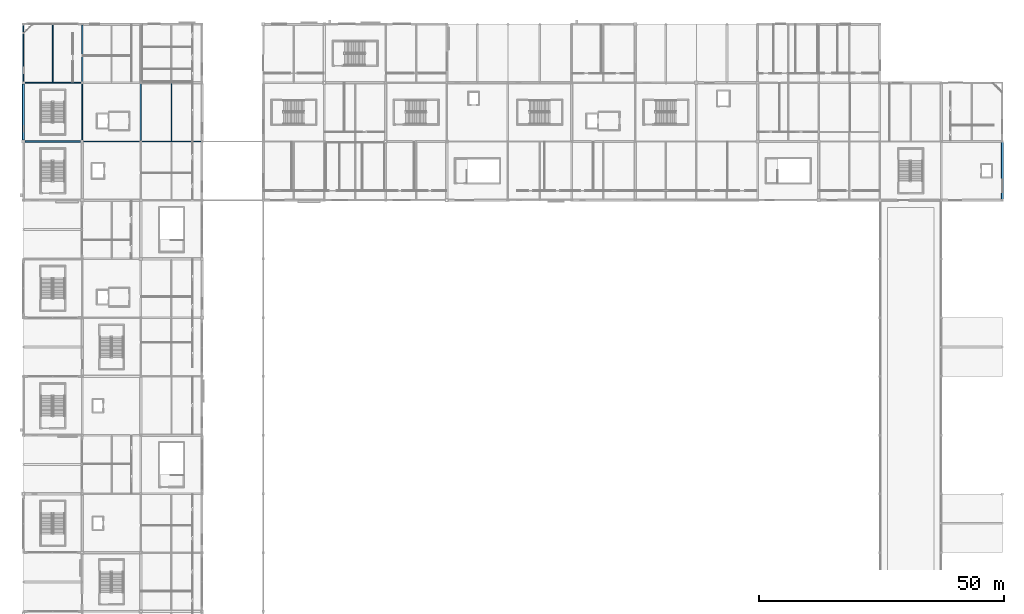
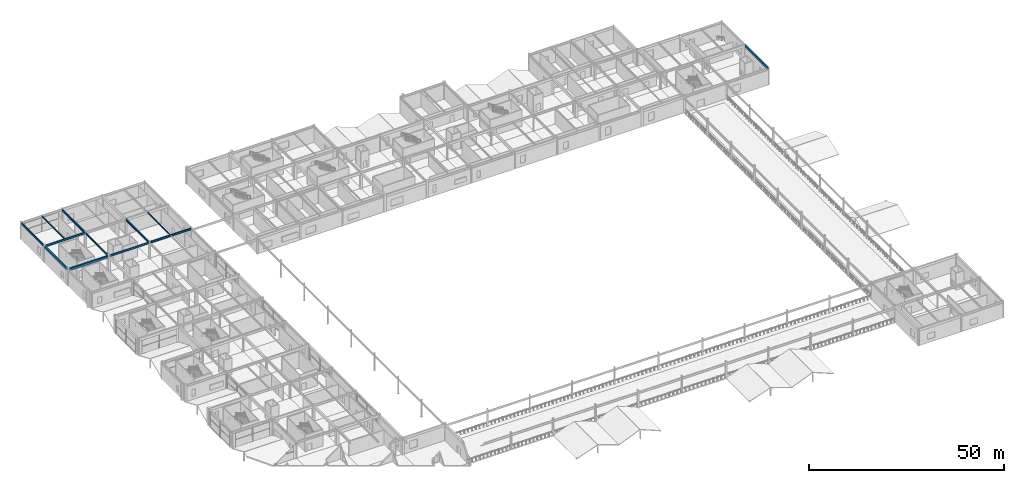
# One storey, part 50 of 105: 12 beams.
"""IFC4 building model written with IfcOpenShell, lengths in metres."""

from ifc_helpers import new_model, si_unit, direction, frame, origin, origin_2d, place, context, subcontext, project, spatial, rectangle, i_section, extrude, material, material_profile, profile_set, type_object, element, save


model = new_model("IFC4")

# Units and contexts
model_context = context("Model", 3, precision=1e-05, world=origin(), true_north=direction((0.0, 1.0)))
body_context = subcontext(model_context, "Body", "Model", "MODEL_VIEW")
ifc_project = project(units=[si_unit("LENGTHUNIT", "METRE"), si_unit("AREAUNIT", "SQUARE_METRE"), si_unit("VOLUMEUNIT", "CUBIC_METRE"), si_unit("PLANEANGLEUNIT", "RADIAN"), si_unit("MASSUNIT", "GRAM", prefix="KILO")], contexts=[model_context])

# Site, building, storey
site_placement = place(None, origin())
site = spatial("IfcSite", under=ifc_project, at=site_placement, CompositionType="ELEMENT")
building_placement = place(site_placement, origin())
building = spatial("IfcBuilding", under=site, at=building_placement, Name="Kazenohara Klinker Stadium", CompositionType="ELEMENT")
storey_placement = place(building_placement, frame((0.0, 0.0, 20.39990234375)))
storey = spatial("IfcBuildingStorey", under=building, at=storey_placement, Name="L04", CompositionType="ELEMENT", Elevation=20.39990234375)

# Beams
ifc_material_1 = material(Name="Steel S355", Category="steel")
ifc_material_profile_1 = material_profile(ifc_material_1, i_section(OverallWidth=0.175048828125, OverallDepth=0.35009765625, WebThickness=0.007080078125, FlangeThickness=0.010986328125, FilletRadius=0.012939453125, at=origin_2d()), Name="H-350x175x7x11")
ifc_profile_set_1 = profile_set([ifc_material_profile_1], Name="Steel S355")
beam_type_1 = type_object("IfcBeamType", Name="BM-JST04", PredefinedType="JOIST", material=ifc_profile_set_1)
beam_1_placement = place(storey_placement, frame((6.0, 156.10009765625, 5.005126953125), z_axis=(0.0, 1.0, 0.0), x_axis=(-1.0, 0.0, 0.0)))
element("IfcBeam", 1, at=beam_1_placement, inside=storey, type_object=beam_type_1, Name="Secondary floor joist SJ04 L04 1/P", PredefinedType="JOIST", context=body_context, shape_type="SweptSolid", body=[
    extrude(i_section(OverallWidth=0.175048828125, OverallDepth=0.35009765625, WebThickness=0.007080078125, FlangeThickness=0.010986328125, FilletRadius=0.012939453125, at=origin_2d()), origin(), (0.0, 0.0, 1.0), 11.75),
])
ifc_material_profile_2 = material_profile(ifc_material_1, i_section(OverallWidth=0.14990234375, OverallDepth=0.300048828125, WebThickness=0.006591796875, FlangeThickness=0.009033203125, FilletRadius=0.012939453125, at=origin_2d()), Name="H-300x150x6.5x9")
ifc_profile_set_2 = profile_set([ifc_material_profile_2], Name="Steel S355")
beam_type_2 = type_object("IfcBeamType", Name="BM-JST05", PredefinedType="JOIST", material=ifc_profile_set_2)
beam_2_placement = place(storey_placement, frame((30.25, 144.14990234375, 5.030029296875), z_axis=(0.0, 1.0, 0.0), x_axis=(-1.0, 0.0, 0.0)))
element("IfcBeam", 2, at=beam_2_placement, inside=storey, type_object=beam_type_2, Name="Secondary floor joist SJ05 L04 3/N", PredefinedType="JOIST", context=body_context, shape_type="SweptSolid", body=[
    extrude(i_section(OverallWidth=0.14990234375, OverallDepth=0.300048828125, WebThickness=0.006591796875, FlangeThickness=0.009033203125, FilletRadius=0.012939453125, at=origin_2d()), origin(), (0.0, 0.0, 1.0), 11.650146484375),
])
ifc_material_2 = material(Name="Concrete C40/50", Category="concrete")
ifc_material_profile_3 = material_profile(ifc_material_2, rectangle(XDim=0.39990234375, YDim=0.699951171875, at=origin_2d()), Name="RC-BM-400x700")
ifc_profile_set_3 = profile_set([ifc_material_profile_3], Name="Concrete C40/50")
beam_type_3 = type_object("IfcBeamType", Name="BM-RC04", PredefinedType="BEAM", material=ifc_profile_set_3)
for number, where, z_axis, x_axis, name in (
    (3, (0.35009765625, 144.0, 4.830078125), (1.0, 0.0, 0.0), (0.0, 1.0, 0.0), "Primary girder BG04 L04 1-2/N"),
    (4, (0.0, 144.35009765625, 4.830078125), (0.0, 1.0, 0.0), (-1.0, 0.0, 0.0), "Primary girder BG04 L04 1/N-P"),
):
    element("IfcBeam", number, at=place(storey_placement, frame(where, z_axis=z_axis, x_axis=x_axis)), inside=storey, type_object=beam_type_3, Name=name, PredefinedType="BEAM", context=body_context, shape_type="SweptSolid", body=[
        extrude(rectangle(XDim=0.39990234375, YDim=0.699951171875, at=origin_2d()), origin(), (0.0, 0.0, 1.0), 11.349853515625),
    ])
beam_3_placement = place(storey_placement, frame((200.0, 132.175048828125, 4.830078125), z_axis=(0.0, 1.0, 0.0), x_axis=(-1.0, 0.0, 0.0)))
element("IfcBeam", 5, at=beam_3_placement, inside=storey, type_object=beam_type_3, Name="Primary girder BG04 L04 17/M-N", PredefinedType="BEAM", context=body_context, shape_type="SweptSolid", body=[
    extrude(rectangle(XDim=0.39990234375, YDim=0.699951171875, at=origin_2d()), origin(), (0.0, 0.0, 1.0), 11.675048828125),
])
ifc_material_profile_4 = material_profile(ifc_material_1, i_section(OverallWidth=0.199951171875, OverallDepth=0.60009765625, WebThickness=0.010986328125, FlangeThickness=0.01708984375, FilletRadius=0.012939453125, at=origin_2d()), Name="H-600x200x11x17")
ifc_profile_set_4 = profile_set([ifc_material_profile_4], Name="Steel S355")
beam_type_4 = type_object("IfcBeamType", Name="BM-ST04", PredefinedType="BEAM", material=ifc_profile_set_4)
for number, where, z_axis, x_axis, name in (
    (6, (0.300048828125, 156.0, 4.880126953125), (1.0, 0.0, 0.0), (0.0, 1.0, 0.0), "Primary girder SB04 L04 1-2/P"),
    (7, (12.300048828125, 144.0, 4.880126953125), (1.0, 0.0, 0.0), (0.0, 1.0, 0.0), "Primary girder SB04 L04 2-3/N"),
    (8, (0.0, 156.300048828125, 4.880126953125), (0.0, 1.0, 0.0), (-1.0, 0.0, 0.0), "Primary girder SB04 L04 1/P-Q"),
    (9, (12.0, 144.300048828125, 4.880126953125), (0.0, 1.0, 0.0), (-1.0, 0.0, 0.0), "Primary girder SB04 L04 2/N-P"),
):
    element("IfcBeam", number, at=place(storey_placement, frame(where, z_axis=z_axis, x_axis=x_axis)), inside=storey, type_object=beam_type_4, Name=name, PredefinedType="BEAM", context=body_context, shape_type="SweptSolid", body=[
        extrude(i_section(OverallWidth=0.199951171875, OverallDepth=0.60009765625, WebThickness=0.010986328125, FlangeThickness=0.01708984375, FilletRadius=0.012939453125, at=origin_2d()), origin(), (0.0, 0.0, 1.0), 11.5),
    ])
ifc_material_profile_5 = material_profile(ifc_material_1, i_section(OverallWidth=0.300048828125, OverallDepth=0.587890625, WebThickness=0.011962890625, FlangeThickness=0.02001953125, FilletRadius=0.02197265625, at=origin_2d()), Name="H-588x300x12x20")
ifc_profile_set_5 = profile_set([ifc_material_profile_5], Name="Steel S355")
beam_type_5 = type_object("IfcBeamType", Name="BM-ST05", PredefinedType="BEAM", material=ifc_profile_set_5)
beam_4_placement = place(storey_placement, frame((24.199951171875, 144.0, 4.885986328125), z_axis=(1.0, 0.0, 0.0), x_axis=(0.0, 1.0, 0.0)))
element("IfcBeam", 10, at=beam_4_placement, inside=storey, type_object=beam_type_5, Name="Primary girder SB05 L04 3-4/N", PredefinedType="BEAM", context=body_context, shape_type="SweptSolid", body=[
    extrude(i_section(OverallWidth=0.300048828125, OverallDepth=0.587890625, WebThickness=0.011962890625, FlangeThickness=0.02001953125, FilletRadius=0.02197265625, at=origin_2d()), origin(), (0.0, 0.0, 1.0), 12.125),
])
for number, where, z_axis, x_axis, name in (
    (11, (12.0, 156.199951171875, 4.885986328125), (0.0, 1.0, 0.0), (-1.0, 0.0, 0.0), "Primary girder SB05 L04 2/P-Q"),
    (12, (24.0, 144.199951171875, 4.885986328125), (0.0, 1.0, 0.0), (-1.0, 0.0, 0.0), "Primary girder SB05 L04 3/N-P"),
):
    element("IfcBeam", number, at=place(storey_placement, frame(where, z_axis=z_axis, x_axis=x_axis)), inside=storey, type_object=beam_type_5, Name=name, PredefinedType="BEAM", context=body_context, shape_type="SweptSolid", body=[
        extrude(i_section(OverallWidth=0.300048828125, OverallDepth=0.587890625, WebThickness=0.011962890625, FlangeThickness=0.02001953125, FilletRadius=0.02197265625, at=origin_2d()), origin(), (0.0, 0.0, 1.0), 11.625),
    ])

save(model, "model.ifc")
